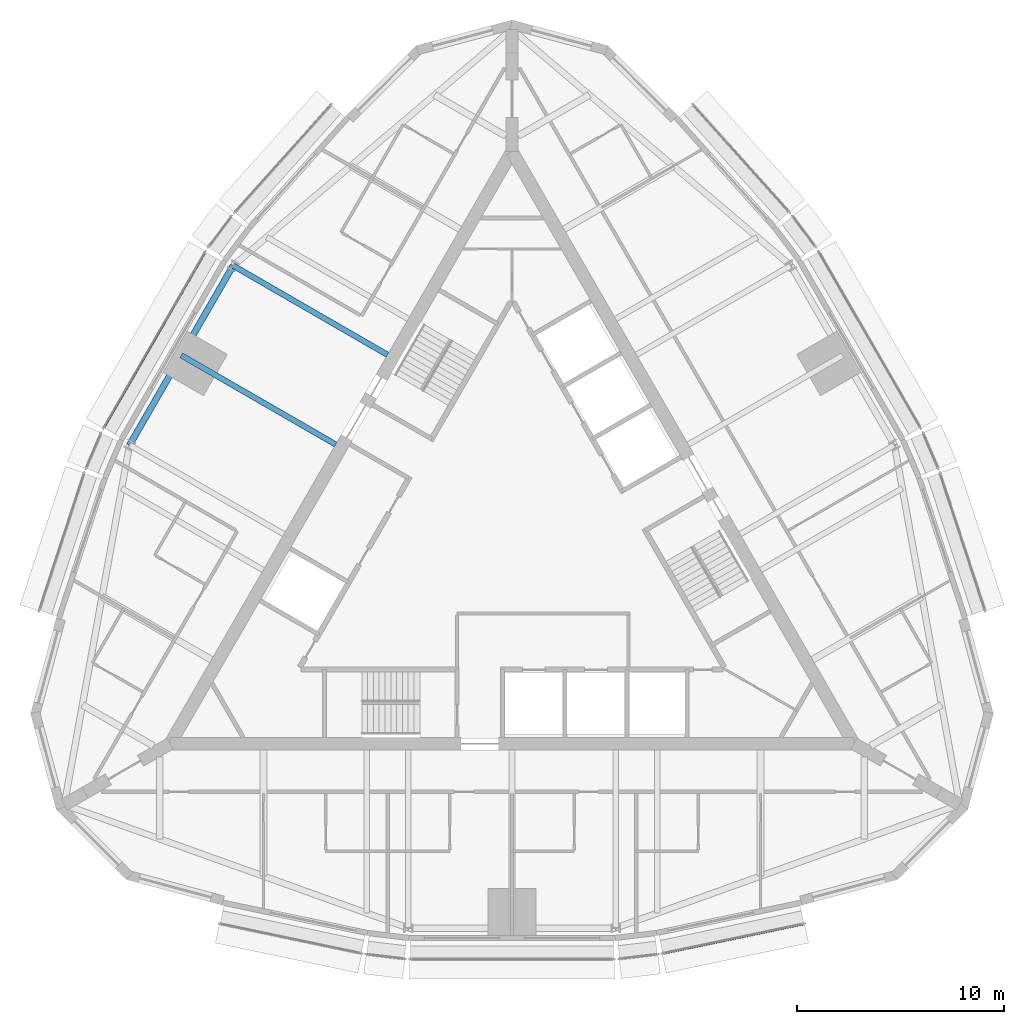
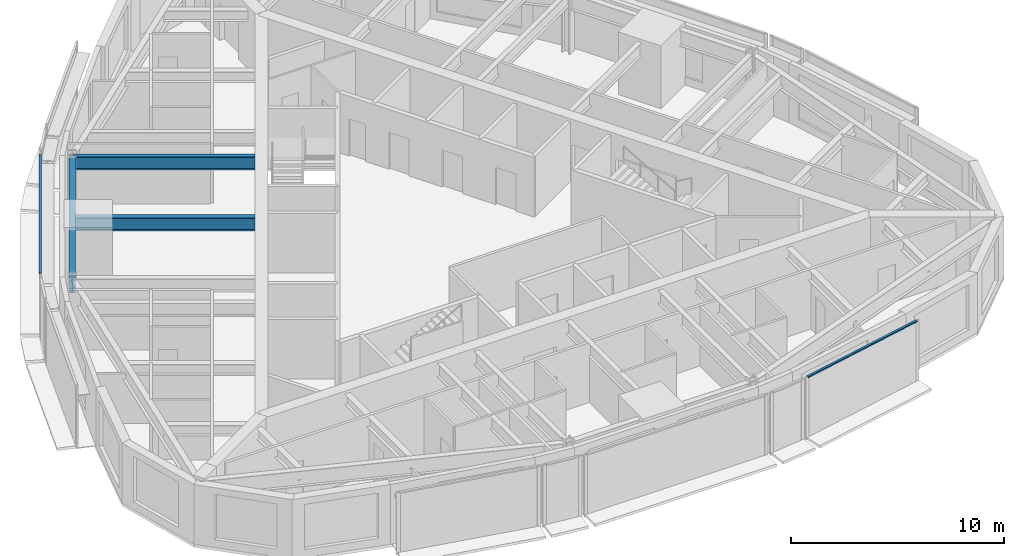
# One storey, part 3 of 12: 3 beams, 2 members, 2 elements without a shape of their own.
"""IFC4 building model written with IfcOpenShell, lengths in metres."""

import ifcopenshell
import ifcopenshell.guid

model = None  # the IFC model being written
_history = None  # IfcOwnerHistory: only IFC2X3 demands one
_inside = {}  # id of a spatial element -> (the spatial element, [elements in it])
_under = {}  # id of a project, library or spatial element -> (it, [spatial elements below it])
_declared = {}  # id of a project -> (the project, [libraries it declares])
_typed = {}  # id of a type object -> (the type object, [elements of that type])
_made_of = {}  # id of a material, layer set ... -> (it, [elements and type objects made of it])


def new_model(schema):
    """Start an empty IFC model of exactly this schema.

    Asked for "IFC4X3", IfcOpenShell would pick the latest addendum, in which some entities
    have other attributes; the version numbers below select the first issue.
    IFC2X3 requires an IfcOwnerHistory on every rooted entity: one is made here for all.
    """
    global model, _history
    if schema == "IFC4X3":
        model = ifcopenshell.file(schema_version=(4, 3, 0, 0))
    else:
        model = ifcopenshell.file(schema=schema)
    _inside.clear()
    _under.clear()
    _declared.clear()
    _typed.clear()
    _made_of.clear()
    _history = None
    if model.schema == "IFC2X3":
        org = make("IfcOrganization", Name="unknown")
        user = make(
            "IfcPersonAndOrganization",
            ThePerson=make("IfcPerson", FamilyName="unknown"),
            TheOrganization=org,
        )
        app = make(
            "IfcApplication",
            ApplicationDeveloper=org,
            Version="unknown",
            ApplicationFullName="unknown",
            ApplicationIdentifier="unknown",
        )
        _history = make(
            "IfcOwnerHistory",
            OwningUser=user,
            OwningApplication=app,
            ChangeAction="ADDED",
            CreationDate=0,
        )
    return model


def make(cls, **values):
    """One entity of the class cls with the attributes given. An attribute that is None is left unset."""
    return model.create_entity(
        cls, **{name: value for name, value in values.items() if value is not None}
    )


def rooted(cls, **values):
    """An entity with a GlobalId (a new one), such as an element, a storey or a relation."""
    return make(cls, GlobalId=ifcopenshell.guid.new(), OwnerHistory=_history, **values)


def si_unit(unit_type, name, prefix=None):
    """IfcSIUnit, for example si_unit("LENGTHUNIT", "METRE", prefix="MILLI")."""
    return make("IfcSIUnit", UnitType=unit_type, Prefix=prefix, Name=name)


def assignment(units):
    """IfcUnitAssignment: the units of a project."""
    return None if units is None else make("IfcUnitAssignment", Units=units)


def point(xyz):
    """IfcCartesianPoint."""
    return None if xyz is None else make("IfcCartesianPoint", Coordinates=xyz)


def direction(xyz):
    """IfcDirection."""
    return None if xyz is None else make("IfcDirection", DirectionRatios=xyz)


def frame(location, z_axis=None, x_axis=None):
    """IfcAxis2Placement3D, a coordinate frame: its origin and axes. An axis left out is left unset."""
    return make(
        "IfcAxis2Placement3D",
        Location=point(location),
        Axis=direction(z_axis),
        RefDirection=direction(x_axis),
    )


def frame_2d(location, x_axis=None):
    """IfcAxis2Placement2D, a coordinate frame in the plane: its origin and x axis."""
    return make(
        "IfcAxis2Placement2D", Location=point(location), RefDirection=direction(x_axis)
    )


def origin():
    """The frame at (0, 0, 0) with its axes left unset."""
    return frame((0.0, 0.0, 0.0))


def origin_2d():
    """The frame at (0, 0) in the plane with its x axis left unset."""
    return frame_2d((0.0, 0.0))


def place(relative_to, where):
    """IfcLocalPlacement: puts the frame where relative to a parent placement (None: the world)."""
    return make(
        "IfcLocalPlacement", PlacementRelTo=relative_to, RelativePlacement=where
    )


def context(
    kind, dimensions, precision=None, world=None, true_north=None, identifier=None
):
    """IfcGeometricRepresentationContext, for example the 3D "Model" context."""
    return make(
        "IfcGeometricRepresentationContext",
        ContextIdentifier=identifier,
        ContextType=kind,
        CoordinateSpaceDimension=dimensions,
        Precision=precision,
        WorldCoordinateSystem=world,
        TrueNorth=true_north,
    )


def subcontext(parent, identifier, kind, view, scale=None):
    """IfcGeometricRepresentationSubContext, for example "Body" below "Model"."""
    return make(
        "IfcGeometricRepresentationSubContext",
        ContextIdentifier=identifier,
        ContextType=kind,
        ParentContext=parent,
        TargetScale=scale,
        TargetView=view,
    )


def project(units=None, contexts=None):
    """IfcProject with its units and contexts."""
    return rooted(
        "IfcProject",
        Name="project",
        RepresentationContexts=contexts,
        UnitsInContext=assignment(units),
    )


def spatial(cls, under=None, at=None, **own):
    """A site, building, storey or space (cls), placed at a placement, below another one or the project."""
    s = rooted(cls, ObjectPlacement=at, **own)
    if under is not None:
        _under.setdefault(under.id(), (under, []))[1].append(s)
    return s


def profile(cls, at=None, kind="AREA", **sizes):
    """A parametric profile (cls). Its sizes go by their IFC names, for example OverallWidth=200.0."""
    return make(cls, ProfileType=kind, Position=at, **sizes)


def rectangle(**sizes):
    """IfcRectangleProfileDef."""
    return profile("IfcRectangleProfileDef", **sizes)


def i_section(**sizes):
    """IfcIShapeProfileDef."""
    return profile("IfcIShapeProfileDef", **sizes)


def extrude(swept, where, along, depth):
    """IfcExtrudedAreaSolid: the profile swept, set in the frame where, extruded along a direction by depth."""
    return make(
        "IfcExtrudedAreaSolid",
        SweptArea=swept,
        Position=where,
        ExtrudedDirection=direction(along),
        Depth=depth,
    )


def shape(context_of_items, identifier, shape_type, items):
    """IfcShapeRepresentation: the items that make up one representation, for example the "Body"."""
    return make(
        "IfcShapeRepresentation",
        ContextOfItems=context_of_items,
        RepresentationIdentifier=identifier,
        RepresentationType=shape_type,
        Items=items,
    )


def material(Name=None, Category=None):
    """IfcMaterial."""
    return make("IfcMaterial", Name=Name, Category=Category)


def material_profile(
    of_material, cross_section, Name=None, Category=None, Priority=None
):
    """IfcMaterialProfile: a cross section and its material."""
    return make(
        "IfcMaterialProfile",
        Name=Name,
        Material=of_material,
        Profile=cross_section,
        Priority=Priority,
        Category=Category,
    )


def profile_set(profiles, Name=None, composite=None):
    """IfcMaterialProfileSet."""
    return make(
        "IfcMaterialProfileSet",
        Name=Name,
        MaterialProfiles=profiles,
        CompositeProfile=composite,
    )


def made_of(thing, what):
    """Note that an element or type object is made of a material, layer set ...; save() writes the relation."""
    if what is not None:
        _made_of.setdefault(what.id(), (what, []))[1].append(thing)
    return thing


def type_object(cls, material=None, **own):
    """A type object (cls), such as IfcWallType, which elements share."""
    return made_of(rooted(cls, **own), material)


def element(
    cls,
    number,
    at=None,
    inside=None,
    cuts=None,
    type_object=None,
    material=None,
    context=None,
    identifier="Body",
    shape_type=None,
    held_by="IfcProductDefinitionShape",
    body=None,
    shapes=None,
    **own,
):
    """One element of the class cls, such as IfcWall. Its Tag is "e" and its number.

    at: its placement. inside: the storey or other place that contains it. cuts: it is an
    opening in that element (IfcRelVoidsElement). A single representation is given by context,
    identifier, shape_type and body (its items); several are given by shapes. held_by: the class
    of the entity that holds the representations. save() writes the other relations.
    """
    e = rooted(cls, Tag="e%d" % number, ObjectPlacement=at, **own)
    if body is not None:
        shapes = [shape(context, identifier, shape_type, body)]
    if shapes is not None:
        e.Representation = make(held_by, Representations=shapes)
    if inside is not None:
        _inside.setdefault(inside.id(), (inside, []))[1].append(e)
    if cuts is not None:
        rooted(
            "IfcRelVoidsElement", RelatingBuildingElement=cuts, RelatedOpeningElement=e
        )
    if type_object is not None:
        _typed.setdefault(type_object.id(), (type_object, []))[1].append(e)
    return made_of(e, material)


def aggregate(whole, parts):
    """IfcRelAggregates: a whole, such as a stair, and the parts it consists of."""
    return rooted("IfcRelAggregates", RelatingObject=whole, RelatedObjects=parts)


def save(model, path):
    """Write the relations noted so far, then the file.

    IfcRelAggregates (storeys below a building ...), IfcRelContainedInSpatialStructure (elements
    in a storey), IfcRelDefinesByType, IfcRelAssociatesMaterial and IfcRelDeclares: one each for
    every whole, place, type object, material and project.
    """
    for whole, parts in _under.values():
        aggregate(whole, parts)
    for where, things in _inside.values():
        rooted(
            "IfcRelContainedInSpatialStructure",
            RelatedElements=things,
            RelatingStructure=where,
        )
    for kind, things in _typed.values():
        rooted("IfcRelDefinesByType", RelatedObjects=things, RelatingType=kind)
    for what, things in _made_of.values():
        rooted("IfcRelAssociatesMaterial", RelatedObjects=things, RelatingMaterial=what)
    for by, libraries in _declared.values():
        rooted("IfcRelDeclares", RelatingContext=by, RelatedDefinitions=libraries)
    model.write(path)


model = new_model("IFC4")

# Units and contexts
model_context = context("Model", 3, precision=1e-05, world=origin(), true_north=direction((0.0, 1.0)))
body_context = subcontext(model_context, "Body", "Model", "MODEL_VIEW")
ifc_project = project(units=[si_unit("LENGTHUNIT", "METRE"), si_unit("AREAUNIT", "SQUARE_METRE"), si_unit("VOLUMEUNIT", "CUBIC_METRE"), si_unit("PLANEANGLEUNIT", "RADIAN"), si_unit("MASSUNIT", "GRAM", prefix="KILO")], contexts=[model_context])

# Site, building, storey
site_placement = place(None, origin())
site = spatial("IfcSite", under=ifc_project, at=site_placement, CompositionType="ELEMENT")
building_placement = place(site_placement, origin())
building = spatial("IfcBuilding", under=site, at=building_placement, Name="Trikona Tower", CompositionType="ELEMENT")
storey_placement = place(building_placement, frame((0.0, 0.0, 260.89990234375)))
storey = spatial("IfcBuildingStorey", under=building, at=storey_placement, Name="L69", CompositionType="ELEMENT", Elevation=260.89990234375)

# Beams
ifc_material_1 = material(Name="Steel ASTM A992 Grade 50", Category="steel")
ifc_material_profile_1 = material_profile(ifc_material_1, i_section(OverallWidth=0.2666015625, OverallDepth=0.7568359375, WebThickness=0.013916015625, FlangeThickness=0.019287109375, at=origin_2d()), Name="W30X108")
ifc_profile_set_1 = profile_set([ifc_material_profile_1], Name="Steel ASTM A992 Grade 50")
beam_type_1 = type_object("IfcBeamType", Name="Steel beam W30x108 (radial upper)", PredefinedType="BEAM", material=ifc_profile_set_1)
beam_1_placement = place(storey_placement, frame((-6.009765625, 9.243408203125, 3.056640625), z_axis=(-0.866029182723, 0.49999345463, 0.0), x_axis=(-0.49999345463, -0.866029182723, 0.0)))
element("IfcBeam", 1, at=beam_1_placement, inside=storey, type_object=beam_type_1, Name="Floor beam L70 F3 u-5", PredefinedType="BEAM", context=body_context, shape_type="SweptSolid", body=[
    extrude(i_section(OverallWidth=0.2666015625, OverallDepth=0.7568359375, WebThickness=0.013916015625, FlangeThickness=0.019287109375, at=origin_2d()), origin(), (0.0, 0.0, 1.0), 8.60400390625),
])
beam_2_placement = place(storey_placement, frame((-8.509765625, 4.9130859375, 3.056640625), z_axis=(-0.866016896067, 0.50001473551, 0.0), x_axis=(-0.50001473551, -0.866016896067, 0.0)))
element("IfcBeam", 2, at=beam_2_placement, inside=storey, type_object=beam_type_1, Name="Floor beam L70 F3 u0", PredefinedType="BEAM", context=body_context, shape_type="SweptSolid", body=[
    extrude(i_section(OverallWidth=0.2666015625, OverallDepth=0.7568359375, WebThickness=0.013916015625, FlangeThickness=0.019287109375, at=origin_2d()), origin(), (0.0, 0.0, 1.0), 8.604248046875),
])
ifc_material_2 = material(Name="Steel ASTM A992 Grade 50", Category="steel")
ifc_material_profile_2 = material_profile(ifc_material_2, i_section(OverallWidth=0.3046875, OverallDepth=0.911865234375, WebThickness=0.015869140625, FlangeThickness=0.02392578125, at=origin_2d()), Name="W36X150")
ifc_profile_set_2 = profile_set([ifc_material_profile_2], Name="Steel ASTM A992 Grade 50")
beam_type_2 = type_object("IfcBeamType", Name="Steel beam W36x150 (spandrel upper)", PredefinedType="SPANDREL", material=ifc_profile_set_2)
beam_3_placement = place(storey_placement, frame((-13.461181640625, 13.54541015625, 2.979248046875), z_axis=(-0.499993662806, -0.866029062534, 0.0), x_axis=(0.866029062534, -0.499993662806, 0.0)))
element("IfcBeam", 3, at=beam_3_placement, inside=storey, type_object=beam_type_2, Name="Spandrel beam L70 F3-2", PredefinedType="SPANDREL", context=body_context, shape_type="SweptSolid", body=[
    extrude(i_section(OverallWidth=0.3046875, OverallDepth=0.911865234375, WebThickness=0.015869140625, FlangeThickness=0.02392578125, at=origin_2d()), origin(), (0.0, 0.0, 1.0), 10.000244140625),
])

# Curtain wall, member
ifc_material_3 = material(Name="Aluminium curtain wall system", Category="aluminium")
curtain_wall_type = type_object("IfcCurtainWallType", Name="Curtain wall DS3", PredefinedType="NOTDEFINED", material=ifc_material_3)
curtain_wall_1_placement = place(storey_placement, origin())
curtain_wall_1 = element("IfcCurtainWall", 4, at=curtain_wall_1_placement, inside=storey, type_object=curtain_wall_type, Name="Curtain wall DS3 L69", PredefinedType="NOTDEFINED")
ifc_material_4 = material(Name="Aluminium transom, pale anodised", Category="aluminium")
ifc_material_profile_3 = material_profile(ifc_material_4, rectangle(XDim=0.1201171875, YDim=0.070068359375, at=origin_2d()), Name="TRN-DS3")
ifc_profile_set_3 = profile_set([ifc_material_profile_3], Name="Aluminium transom, pale anodised")
member_type = type_object("IfcMemberType", Name="Transom DS3 70x120", PredefinedType="USERDEFINED", material=ifc_profile_set_3)
member_1_placement = place(storey_placement, frame((7.312255859375, -19.64453125, 3.565185546875), z_axis=(0.978654137783, 0.205514181021, 0.0), x_axis=(-0.205514181021, 0.978654137783, 0.0)))
member_1 = element("IfcMember", 5, at=member_1_placement, type_object=member_type, Name="CW-DS3 transom 1.1", ObjectType="TRANSOM", PredefinedType="USERDEFINED", context=body_context, shape_type="SweptSolid", body=[
    extrude(rectangle(XDim=0.1201171875, YDim=0.070068359375, at=origin_2d()), origin(), (0.0, 0.0, 1.0), 6.892578125),
])
aggregate(curtain_wall_1, [member_1])

curtain_wall_2_placement = place(storey_placement, origin())
curtain_wall_2 = element("IfcCurtainWall", 6, at=curtain_wall_2_placement, inside=storey, type_object=curtain_wall_type, Name="Curtain wall DS3 L69", PredefinedType="NOTDEFINED")
member_2_placement = place(storey_placement, frame((-14.8251953125, 14.182861328125, 3.565185546875), z_axis=(-0.500010305712, -0.866019453697, 0.0), x_axis=(0.866019453697, -0.500010305712, 0.0)))
member_2 = element("IfcMember", 7, at=member_2_placement, type_object=member_type, Name="CW-DS3 transom 1.1", ObjectType="TRANSOM", PredefinedType="USERDEFINED", context=body_context, shape_type="SweptSolid", body=[
    extrude(rectangle(XDim=0.1201171875, YDim=0.070068359375, at=origin_2d()), origin(), (0.0, 0.0, 1.0), 9.739990234375),
])
aggregate(curtain_wall_2, [member_2])

save(model, "model.ifc")
